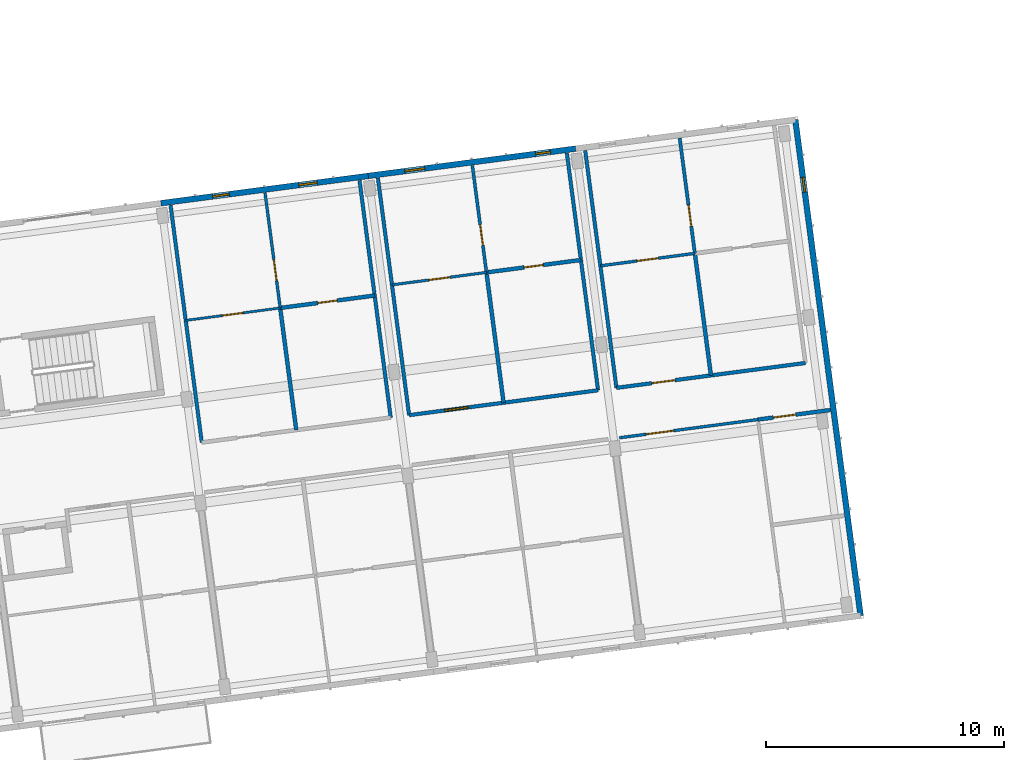
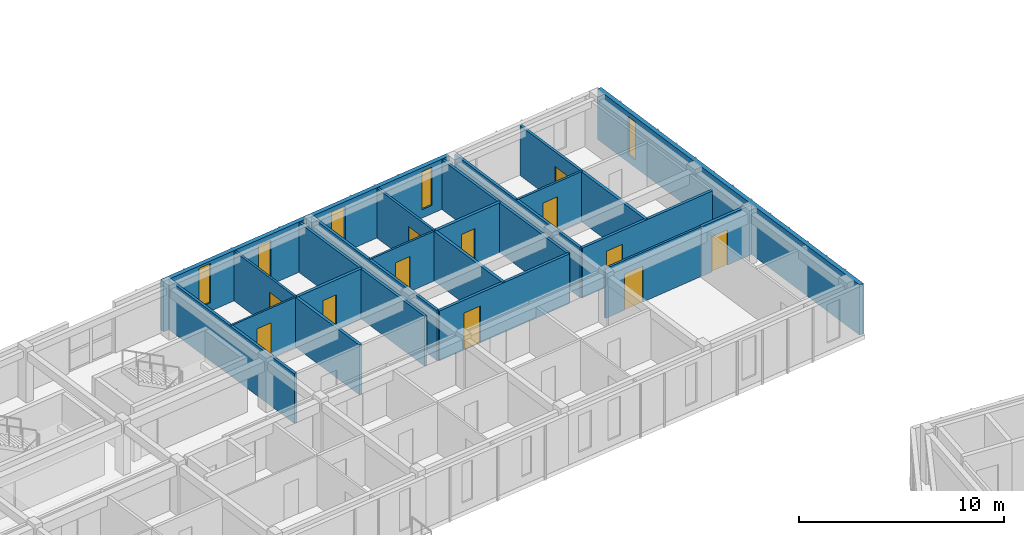
# One storey, part 23 of 56: 23 walls, 12 doors, 5 windows, 17 openings.
"""IFC4 building model written with IfcOpenShell, lengths in metres."""

from ifc_helpers import new_model, si_unit, direction, frame, frame_2d, origin, place, context, subcontext, project, spatial, rectangle, extrude, material, layer, layer_set, type_object, element, fill, save


model = new_model("IFC4")

# Units and contexts
model_context = context("Model", 3, precision=1e-05, world=origin(), true_north=direction((0.0, 1.0)))
body_context = subcontext(model_context, "Body", "Model", "MODEL_VIEW")
ifc_project = project(units=[si_unit("LENGTHUNIT", "METRE"), si_unit("AREAUNIT", "SQUARE_METRE"), si_unit("VOLUMEUNIT", "CUBIC_METRE"), si_unit("PLANEANGLEUNIT", "RADIAN"), si_unit("MASSUNIT", "GRAM", prefix="KILO")], contexts=[model_context])

# Site, building, storey
site_placement = place(None, origin())
site = spatial("IfcSite", under=ifc_project, at=site_placement, CompositionType="ELEMENT")
building_placement = place(site_placement, origin())
building = spatial("IfcBuilding", under=site, at=building_placement, Name="Kestramere Prow Commons", CompositionType="ELEMENT")
storey_placement = place(building_placement, frame((0.0, 0.0, 27.89990234375)))
storey = spatial("IfcBuildingStorey", under=building, at=storey_placement, Name="L08", CompositionType="ELEMENT", Elevation=27.89990234375)

# Wall, openings, windows
ifc_material_1 = material(Name="Fluoropolymer Standing-Seam Zinc-Aluminium Cladding", Category="aluminium")
ifc_layer_1 = layer(ifc_material_1, 0.239990234375)
ifc_layer_set_1 = layer_set([ifc_layer_1], Name="Fluoropolymer Standing-Seam Zinc-Aluminium Cladding")
wall_type_1 = type_object("IfcWallType", Name="EW-SEAM-240", PredefinedType="SOLIDWALL", material=ifc_layer_set_1)
wall_1_placement = place(storey_placement, frame((34.695068359375, 95.79541015625, 0.0), z_axis=(0.0, 0.0, 1.0), x_axis=(0.991447967712, 0.130502595073, 0.0)))
wall_1 = element("IfcWall", 1, at=wall_1_placement, inside=storey, type_object=wall_type_1, Name="Block A L08 North Standing-Seam Wall 4", PredefinedType="SOLIDWALL", context=body_context, shape_type="SweptSolid", body=[
    extrude(rectangle(XDim=8.800048828125, YDim=0.239990234375, at=frame_2d((4.39990234375, 0.0))), origin(), (0.0, 0.0, 1.0), 3.0),
])
opening_1_placement = place(wall_1_placement, frame((2.1943359375, 0.0, 0.5)))
opening_1 = element("IfcOpeningElement", 2, at=opening_1_placement, cuts=wall_1, Name="Opening WN-07", PredefinedType="OPENING", context=body_context, shape_type="SweptSolid", body=[
    extrude(rectangle(XDim=0.699951171875, YDim=2.360107421875, at=frame_2d((0.35009765625, 1.18017578125))), frame((0.0, 0.135009765625, 0.0), z_axis=(0.0, -1.0, 0.0), x_axis=(1.0, 0.0, 0.0)), (0.0, 0.0, 1.0), 0.27001953125),
])
opening_2_placement = place(wall_1_placement, frame((5.848876953125, 0.0, 0.43994140625)))
opening_2 = element("IfcOpeningElement", 3, at=opening_2_placement, cuts=wall_1, Name="Opening WN-11", PredefinedType="OPENING", context=body_context, shape_type="SweptSolid", body=[
    extrude(rectangle(XDim=0.780029296875, YDim=2.199951171875, at=frame_2d((0.39013671875, 1.10009765625))), frame((0.0, 0.135009765625, 0.0), z_axis=(0.0, -1.0, 0.0), x_axis=(1.0, 0.0, 0.0)), (0.0, 0.0, 1.0), 0.27001953125),
])
ifc_material_2 = material(Name="Low-E Laminated Double Glazing", Category="glass")
window_type_1 = type_object("IfcWindowType", Name="WN-NAR-700A", PartitioningType="SINGLE_PANEL", PredefinedType="WINDOW", material=ifc_material_2)
window_1_placement = place(opening_1_placement, origin())
window_1 = element("IfcWindow", 4, at=window_1_placement, inside=storey, type_object=window_type_1, Name="WN-A-L08-N-3-0", OverallHeight=2.360107421875, OverallWidth=0.699951171875, PartitioningType="SINGLE_PANEL", PredefinedType="WINDOW", context=body_context, shape_type="SweptSolid", body=[
    extrude(rectangle(XDim=0.699951171875, YDim=2.360107421875, at=frame_2d((0.35009765625, 1.18017578125))), frame((0.0, 0.030029296875, 0.0), z_axis=(0.0, -1.0, 0.0), x_axis=(1.0, 0.0, 0.0)), (0.0, 0.0, 1.0), 0.06005859375),
])
fill(opening_1, window_1)
window_type_2 = type_object("IfcWindowType", Name="WN-NAR-780A", PartitioningType="SINGLE_PANEL", PredefinedType="WINDOW", material=ifc_material_2)
window_2_placement = place(opening_2_placement, origin())
window_2 = element("IfcWindow", 5, at=window_2_placement, inside=storey, type_object=window_type_2, Name="WN-A-L08-N-3-1", OverallHeight=2.199951171875, OverallWidth=0.780029296875, PartitioningType="SINGLE_PANEL", PredefinedType="WINDOW", context=body_context, shape_type="SweptSolid", body=[
    extrude(rectangle(XDim=0.780029296875, YDim=2.199951171875, at=frame_2d((0.39013671875, 1.10009765625))), frame((0.0, 0.030029296875, 0.0), z_axis=(0.0, -1.0, 0.0), x_axis=(1.0, 0.0, 0.0)), (0.0, 0.0, 1.0), 0.06005859375),
])
fill(opening_2, window_2)

wall_2_placement = place(storey_placement, frame((43.419921875, 96.94384765625, 0.0), z_axis=(0.0, 0.0, 1.0), x_axis=(0.991443905089, 0.130533455715, 0.0)))
wall_2 = element("IfcWall", 6, at=wall_2_placement, inside=storey, type_object=wall_type_1, Name="Block A L08 North Standing-Seam Wall 5", PredefinedType="SOLIDWALL", context=body_context, shape_type="SweptSolid", body=[
    extrude(rectangle(XDim=8.7998046875, YDim=0.239990234375, at=frame_2d((4.39990234375, 0.0))), origin(), (0.0, 0.0, 1.0), 3.0),
])
opening_3_placement = place(wall_2_placement, frame((1.552001953125, 0.0, 0.43994140625)))
opening_3 = element("IfcOpeningElement", 7, at=opening_3_placement, cuts=wall_2, Name="Opening WN-14", PredefinedType="OPENING", context=body_context, shape_type="SweptSolid", body=[
    extrude(rectangle(XDim=0.840087890625, YDim=2.280029296875, at=frame_2d((0.419921875, 1.14013671875))), frame((0.0, 0.135009765625, 0.0), z_axis=(0.0, -1.0, 0.0), x_axis=(1.0, 0.0, 0.0)), (0.0, 0.0, 1.0), 0.27001953125),
])
opening_4_placement = place(wall_2_placement, frame((7.11279296875, 0.0, 0.5)))
opening_4 = element("IfcOpeningElement", 8, at=opening_4_placement, cuts=wall_2, Name="Opening WN-03", PredefinedType="OPENING", context=body_context, shape_type="SweptSolid", body=[
    extrude(rectangle(XDim=0.6201171875, YDim=2.280029296875, at=frame_2d((0.31005859375, 1.14013671875))), frame((0.0, 0.135009765625, 0.0), z_axis=(0.0, -1.0, 0.0), x_axis=(1.0, 0.0, 0.0)), (0.0, 0.0, 1.0), 0.27001953125),
])
window_type_3 = type_object("IfcWindowType", Name="WN-NAR-620A", PartitioningType="SINGLE_PANEL", PredefinedType="WINDOW", material=ifc_material_2)
window_3_placement = place(opening_4_placement, origin())
window_3 = element("IfcWindow", 9, at=window_3_placement, inside=storey, type_object=window_type_3, Name="WN-A-L08-N-4-1", OverallHeight=2.280029296875, OverallWidth=0.6201171875, PartitioningType="SINGLE_PANEL", PredefinedType="WINDOW", context=body_context, shape_type="SweptSolid", body=[
    extrude(rectangle(XDim=0.6201171875, YDim=2.280029296875, at=frame_2d((0.31005859375, 1.14013671875))), frame((0.0, 0.030029296875, 0.0), z_axis=(0.0, -1.0, 0.0), x_axis=(1.0, 0.0, 0.0)), (0.0, 0.0, 1.0), 0.06005859375),
])
fill(opening_4, window_3)
window_type_4 = type_object("IfcWindowType", Name="WN-NAR-840A", PartitioningType="DOUBLE_PANEL_VERTICAL", PredefinedType="WINDOW", material=ifc_material_2)
window_4_placement = place(opening_3_placement, origin())
window_4 = element("IfcWindow", 10, at=window_4_placement, inside=storey, type_object=window_type_4, Name="WN-A-L08-N-4-0", OverallHeight=2.280029296875, OverallWidth=0.840087890625, PartitioningType="SINGLE_PANEL", PredefinedType="WINDOW", context=body_context, shape_type="SweptSolid", body=[
    extrude(rectangle(XDim=0.840087890625, YDim=2.280029296875, at=frame_2d((0.419921875, 1.14013671875))), frame((0.0, 0.030029296875, 0.0), z_axis=(0.0, -1.0, 0.0), x_axis=(1.0, 0.0, 0.0)), (0.0, 0.0, 1.0), 0.06005859375),
])
fill(opening_3, window_4)

# Wall, opening, window
wall_3_placement = place(storey_placement, frame((61.3896484375, 99.309814453125, 0.0), z_axis=(0.0, 0.0, 1.0), x_axis=(0.13052411616, -0.99144513469, 0.0)))
wall_3 = element("IfcWall", 11, at=wall_3_placement, inside=storey, type_object=wall_type_1, Name="Block A L08 EAV Facet Wall", PredefinedType="SOLIDWALL", context=body_context, shape_type="SweptSolid", body=[
    extrude(rectangle(XDim=21.05029296875, YDim=0.239990234375, at=frame_2d((10.525146484375, 0.0))), origin(), (0.0, 0.0, 1.0), 3.0),
])
opening_5_placement = place(wall_3_placement, frame((2.449951171875, 0.0, 0.449951171875)))
opening_5 = element("IfcOpeningElement", 12, at=opening_5_placement, cuts=wall_3, Name="Opening WN-03", PredefinedType="OPENING", context=body_context, shape_type="SweptSolid", body=[
    extrude(rectangle(XDim=0.6201171875, YDim=2.280029296875, at=frame_2d((0.31005859375, 1.14013671875))), frame((0.0, 0.135009765625, 0.0), z_axis=(0.0, -1.0, 0.0), x_axis=(1.0, 0.0, 0.0)), (0.0, 0.0, 1.0), 0.27001953125),
])
window_5_placement = place(opening_5_placement, origin())
window_5 = element("IfcWindow", 13, at=window_5_placement, inside=storey, type_object=window_type_3, Name="WN-A-L08-EAV-0", OverallHeight=2.280029296875, OverallWidth=0.6201171875, PartitioningType="SINGLE_PANEL", PredefinedType="WINDOW", context=body_context, shape_type="SweptSolid", body=[
    extrude(rectangle(XDim=0.6201171875, YDim=2.280029296875, at=frame_2d((0.31005859375, 1.14013671875))), frame((0.0, 0.030029296875, 0.0), z_axis=(0.0, -1.0, 0.0), x_axis=(1.0, 0.0, 0.0)), (0.0, 0.0, 1.0), 0.06005859375),
])
fill(opening_5, window_5)

# Wall, opening, door
ifc_material_3 = material(Name="Fire-Rated Calcium Silicate Wall")
ifc_layer_2 = layer(ifc_material_3, 0.155029296875)
ifc_layer_set_2 = layer_set([ifc_layer_2], Name="Fire-Rated Calcium Silicate Wall")
wall_type_2 = type_object("IfcWallType", Name="W-FIRE-150", PredefinedType="PARTITIONING", material=ifc_layer_set_2)
wall_4_placement = place(storey_placement, frame((45.138427734375, 86.877197265625, 0.0), z_axis=(0.0, 0.0, 1.0), x_axis=(0.991444034844, 0.130532470184, 0.0)))
wall_4 = element("IfcWall", 14, at=wall_4_placement, inside=storey, type_object=wall_type_2, Name="Interior Partition PW-A-L08-CN-4", PredefinedType="PARTITIONING", context=body_context, shape_type="SweptSolid", body=[
    extrude(rectangle(XDim=8.02001953125, YDim=0.155029296875, at=frame_2d((4.010009765625, 0.0))), origin(), (0.0, 0.0, 1.0), 2.97021484375),
])
opening_6_placement = place(wall_4_placement, frame((1.5048828125, 0.0, 0.0)))
opening_6 = element("IfcOpeningElement", 15, at=opening_6_placement, cuts=wall_4, Name="Opening ID-05", PredefinedType="OPENING", context=body_context, shape_type="SweptSolid", body=[
    extrude(rectangle(XDim=1.02001953125, YDim=2.199951171875, at=frame_2d((0.510009765625, 1.10009765625))), frame((0.0, 0.092529296875, 0.0), z_axis=(0.0, -1.0, 0.0), x_axis=(1.0, 0.0, 0.0)), (0.0, 0.0, 1.0), 0.18505859375),
])
ifc_material_4 = material(Name="Hardwood Fire-Rated Flat Entrance Door", Category="wood")
door_type_1 = type_object("IfcDoorType", Name="FD-ENT-02", OperationType="NOTDEFINED", PredefinedType="DOOR", material=ifc_material_4)
door_1_placement = place(opening_6_placement, origin())
door_1 = element("IfcDoor", 16, at=door_1_placement, inside=storey, type_object=door_type_1, Name="Interior Door DR-A-L08-ENT-N4", OperationType="SINGLE_SWING_LEFT", OverallHeight=2.199951171875, OverallWidth=1.02001953125, PredefinedType="DOOR", context=body_context, shape_type="SweptSolid", body=[
    extrude(rectangle(XDim=1.02001953125, YDim=2.199951171875, at=frame_2d((0.510009765625, 1.10009765625))), frame((0.0, 0.02490234375, 0.0), z_axis=(0.0, -1.0, 0.0), x_axis=(1.0, 0.0, 0.0)), (0.0, 0.0, 1.0), 0.050048828125),
])
fill(opening_6, door_1)

wall_5_placement = place(storey_placement, frame((53.86328125, 88.02587890625, 0.0), z_axis=(0.0, 0.0, 1.0), x_axis=(0.991447973994, 0.130502547346, 0.0)))
wall_5 = element("IfcWall", 17, at=wall_5_placement, inside=storey, type_object=wall_type_2, Name="Interior Partition PW-A-L08-CN-5", PredefinedType="PARTITIONING", context=body_context, shape_type="SweptSolid", body=[
    extrude(rectangle(XDim=8.02001953125, YDim=0.155029296875, at=frame_2d((4.010009765625, 0.0))), origin(), (0.0, 0.0, 1.0), 2.97021484375),
])
opening_7_placement = place(wall_5_placement, frame((1.5048828125, 0.0, 0.0)))
opening_7 = element("IfcOpeningElement", 18, at=opening_7_placement, cuts=wall_5, Name="Opening ID-04", PredefinedType="OPENING", context=body_context, shape_type="SweptSolid", body=[
    extrude(rectangle(XDim=0.97998046875, YDim=2.14990234375, at=frame_2d((0.489990234375, 1.074951171875))), frame((0.0, 0.092529296875, 0.0), z_axis=(0.0, -1.0, 0.0), x_axis=(1.0, 0.0, 0.0)), (0.0, 0.0, 1.0), 0.18505859375),
])
door_type_2 = type_object("IfcDoorType", Name="FD-ENT-01", OperationType="NOTDEFINED", PredefinedType="DOOR", material=ifc_material_4)
door_2_placement = place(opening_7_placement, origin())
door_2 = element("IfcDoor", 19, at=door_2_placement, inside=storey, type_object=door_type_2, Name="Interior Door DR-A-L08-ENT-N5", OperationType="SINGLE_SWING_RIGHT", OverallHeight=2.14990234375, OverallWidth=0.97998046875, PredefinedType="DOOR", context=body_context, shape_type="SweptSolid", body=[
    extrude(rectangle(XDim=0.97998046875, YDim=2.14990234375, at=frame_2d((0.489990234375, 1.074951171875))), frame((0.0, 0.02490234375, 0.0), z_axis=(0.0, -1.0, 0.0), x_axis=(1.0, 0.0, 0.0)), (0.0, 0.0, 1.0), 0.050048828125),
])
fill(opening_7, door_2)

ifc_material_5 = material(Name="Gypsum Acoustic Drywall")
ifc_layer_3 = layer(ifc_material_5, 0.10009765625)
ifc_layer_set_3 = layer_set([ifc_layer_3], Name="Gypsum Acoustic Drywall")
wall_type_3 = type_object("IfcWallType", Name="W-PART-100", PredefinedType="PARTITIONING", material=ifc_layer_set_3)
wall_6_placement = place(storey_placement, frame((35.737548828125, 90.8642578125, 0.0), z_axis=(0.0, 0.0, 1.0), x_axis=(0.991444553502, 0.130528530716, 0.0)))
wall_6 = element("IfcWall", 20, at=wall_6_placement, inside=storey, type_object=wall_type_3, Name="Interior Partition PW-A-L08-MIDN1-3", PredefinedType="PARTITIONING", context=body_context, shape_type="SweptSolid", body=[
    extrude(rectangle(XDim=4.01025390625, YDim=0.10009765625, at=frame_2d((2.005126953125, 0.0))), origin(), (0.0, 0.0, 1.0), 2.97021484375),
])
opening_8_placement = place(wall_6_placement, frame((1.554931640625, 0.0, 0.0)))
opening_8 = element("IfcOpeningElement", 21, at=opening_8_placement, cuts=wall_6, Name="Opening ID-10", PredefinedType="OPENING", context=body_context, shape_type="SweptSolid", body=[
    extrude(rectangle(XDim=0.8798828125, YDim=2.10009765625, at=frame_2d((0.43994140625, 1.050048828125))), frame((0.0, 0.06494140625, 0.0), z_axis=(0.0, -1.0, 0.0), x_axis=(1.0, 0.0, 0.0)), (0.0, 0.0, 1.0), 0.130126953125),
])
ifc_material_6 = material(Name="Engineered Timber Bedroom Door", Category="wood")
door_type_3 = type_object("IfcDoorType", Name="D-RM-03", OperationType="NOTDEFINED", PredefinedType="DOOR", material=ifc_material_6)
door_3_placement = place(opening_8_placement, origin())
door_3 = element("IfcDoor", 22, at=door_3_placement, inside=storey, type_object=door_type_3, Name="Interior Door DR-A-L08-KL-N3", OperationType="SINGLE_SWING_LEFT", OverallHeight=2.10009765625, OverallWidth=0.8798828125, PredefinedType="DOOR", context=body_context, shape_type="SweptSolid", body=[
    extrude(rectangle(XDim=0.8798828125, YDim=2.10009765625, at=frame_2d((0.43994140625, 1.050048828125))), frame((0.0, 0.02490234375, 0.0), z_axis=(0.0, -1.0, 0.0), x_axis=(1.0, 0.0, 0.0)), (0.0, 0.0, 1.0), 0.050048828125),
])
fill(opening_8, door_3)

ifc_layer_4 = layer(ifc_material_5, 0.110107421875)
ifc_layer_set_4 = layer_set([ifc_layer_4], Name="Gypsum Acoustic Drywall")
wall_type_4 = type_object("IfcWallType", Name="W-PART-110", PredefinedType="PARTITIONING", material=ifc_layer_set_4)
wall_7_placement = place(storey_placement, frame((44.416748046875, 92.35986328125, 0.0), z_axis=(0.0, 0.0, 1.0), x_axis=(0.991443516139, 0.130536409887, 0.0)))
wall_7 = element("IfcWall", 23, at=wall_7_placement, inside=storey, type_object=wall_type_4, Name="Interior Partition PW-A-L08-MIDN1-4", PredefinedType="PARTITIONING", context=body_context, shape_type="SweptSolid", body=[
    extrude(rectangle(XDim=4.010009765625, YDim=0.110107421875, at=frame_2d((2.0048828125, 0.0))), origin(), (0.0, 0.0, 1.0), 2.97021484375),
])
opening_9_placement = place(wall_7_placement, frame((1.554931640625, 0.0, 0.0)))
opening_9 = element("IfcOpeningElement", 24, at=opening_9_placement, cuts=wall_7, Name="Opening ID-08", PredefinedType="OPENING", context=body_context, shape_type="SweptSolid", body=[
    extrude(rectangle(XDim=0.89990234375, YDim=2.10009765625, at=frame_2d((0.449951171875, 1.050048828125))), frame((0.0, 0.070068359375, 0.0), z_axis=(0.0, -1.0, 0.0), x_axis=(1.0, 0.0, 0.0)), (0.0, 0.0, 1.0), 0.14013671875),
])
ifc_material_7 = material(Name="Engineered Timber Flush Door", Category="wood")
door_type_4 = type_object("IfcDoorType", Name="D-RM-01", OperationType="NOTDEFINED", PredefinedType="DOOR", material=ifc_material_7)
door_4_placement = place(opening_9_placement, origin())
door_4 = element("IfcDoor", 25, at=door_4_placement, inside=storey, type_object=door_type_4, Name="Interior Door DR-A-L08-KL-N4", OperationType="SINGLE_SWING_LEFT", OverallHeight=2.10009765625, OverallWidth=0.89990234375, PredefinedType="DOOR", context=body_context, shape_type="SweptSolid", body=[
    extrude(rectangle(XDim=0.89990234375, YDim=2.10009765625, at=frame_2d((0.449951171875, 1.050048828125))), frame((0.0, 0.02490234375, 0.0), z_axis=(0.0, -1.0, 0.0), x_axis=(1.0, 0.0, 0.0)), (0.0, 0.0, 1.0), 0.050048828125),
])
fill(opening_9, door_4)

ifc_material_8 = material(Name="Lightweight Blockwork and Plaster", Category="masonry")
ifc_layer_5 = layer(ifc_material_8, 0.1201171875)
ifc_layer_set_5 = layer_set([ifc_layer_5], Name="Lightweight Blockwork and Plaster")
wall_type_5 = type_object("IfcWallType", Name="W-PART-120", PredefinedType="PARTITIONING", material=ifc_layer_set_5)
wall_8_placement = place(storey_placement, frame((53.983642578125, 85.923583984375, 0.0), z_axis=(0.0, 0.0, 1.0), x_axis=(0.991446810256, 0.130511388136, 0.0)))
wall_8 = element("IfcWall", 26, at=wall_8_placement, inside=storey, type_object=wall_type_5, Name="Interior Partition PW-A-L08-CS-5A", PredefinedType="PARTITIONING", context=body_context, shape_type="SweptSolid", body=[
    extrude(rectangle(XDim=5.885009765625, YDim=0.1201171875, at=frame_2d((2.9423828125, 0.0))), origin(), (0.0, 0.0, 1.0), 2.97021484375),
])
opening_10_placement = place(wall_8_placement, frame((1.14990234375, 0.0, 0.0)))
opening_10 = element("IfcOpeningElement", 27, at=opening_10_placement, cuts=wall_8, Name="Opening ID-09", PredefinedType="OPENING", context=body_context, shape_type="SweptSolid", body=[
    extrude(rectangle(XDim=1.14990234375, YDim=2.14990234375, at=frame_2d((0.574951171875, 1.074951171875))), frame((0.0, 0.074951171875, 0.0), z_axis=(0.0, -1.0, 0.0), x_axis=(1.0, 0.0, 0.0)), (0.0, 0.0, 1.0), 0.150146484375),
])
ifc_material_9 = material(Name="Engineered Timber Acoustic Door", Category="wood")
door_type_5 = type_object("IfcDoorType", Name="D-RM-02", OperationType="NOTDEFINED", PredefinedType="DOOR", material=ifc_material_9)
door_5_placement = place(opening_10_placement, origin())
door_5 = element("IfcDoor", 28, at=door_5_placement, inside=storey, type_object=door_type_5, Name="Interior Door DR-A-L08-SKY-5", OperationType="SINGLE_SWING_LEFT", OverallHeight=2.14990234375, OverallWidth=1.14990234375, PredefinedType="DOOR", context=body_context, shape_type="SweptSolid", body=[
    extrude(rectangle(XDim=1.14990234375, YDim=2.14990234375, at=frame_2d((0.574951171875, 1.074951171875))), frame((0.0, 0.02490234375, 0.0), z_axis=(0.0, -1.0, 0.0), x_axis=(1.0, 0.0, 0.0)), (0.0, 0.0, 1.0), 0.050048828125),
])
fill(opening_10, door_5)

wall_9_placement = place(storey_placement, frame((39.71337890625, 91.3876953125, 0.0), z_axis=(0.0, 0.0, 1.0), x_axis=(-0.130557831536, 0.991440695465, 0.0)))
wall_9 = element("IfcWall", 29, at=wall_9_placement, inside=storey, type_object=wall_type_5, Name="Interior Partition PW-A-L08-LB-N3", PredefinedType="PARTITIONING", context=body_context, shape_type="SweptSolid", body=[
    extrude(rectangle(XDim=4.889892578125, YDim=0.1201171875, at=frame_2d((2.44482421875, 0.0))), origin(), (0.0, 0.0, 1.0), 2.97021484375),
])
opening_11_placement = place(wall_9_placement, frame((1.14990234375, 0.0, 0.0)))
opening_11 = element("IfcOpeningElement", 30, at=opening_11_placement, cuts=wall_9, Name="Opening ID-08", PredefinedType="OPENING", context=body_context, shape_type="SweptSolid", body=[
    extrude(rectangle(XDim=0.89990234375, YDim=2.10009765625, at=frame_2d((0.449951171875, 1.050048828125))), frame((0.0, 0.074951171875, 0.0), z_axis=(0.0, -1.0, 0.0), x_axis=(1.0, 0.0, 0.0)), (0.0, 0.0, 1.0), 0.150146484375),
])
door_6_placement = place(opening_11_placement, origin())
door_6 = element("IfcDoor", 31, at=door_6_placement, inside=storey, type_object=door_type_4, Name="Interior Door DR-A-L08-BED-N3", OperationType="SINGLE_SWING_LEFT", OverallHeight=2.10009765625, OverallWidth=0.89990234375, PredefinedType="DOOR", context=body_context, shape_type="SweptSolid", body=[
    extrude(rectangle(XDim=0.89990234375, YDim=2.10009765625, at=frame_2d((0.449951171875, 1.050048828125))), frame((0.0, 0.02490234375, 0.0), z_axis=(0.0, -1.0, 0.0), x_axis=(1.0, 0.0, 0.0)), (0.0, 0.0, 1.0), 0.050048828125),
])
fill(opening_11, door_6)

wall_10_placement = place(storey_placement, frame((53.18701171875, 93.161376953125, 0.0), z_axis=(0.0, 0.0, 1.0), x_axis=(0.991444553502, 0.130528530716, 0.0)))
wall_10 = element("IfcWall", 32, at=wall_10_placement, inside=storey, type_object=wall_type_5, Name="Interior Partition PW-A-L08-MIDN1-5", PredefinedType="PARTITIONING", context=body_context, shape_type="SweptSolid", body=[
    extrude(rectangle(XDim=4.01025390625, YDim=0.1201171875, at=frame_2d((2.005126953125, 0.0))), origin(), (0.0, 0.0, 1.0), 2.97021484375),
])
opening_12_placement = place(wall_10_placement, frame((1.554931640625, 0.0, 0.0)))
opening_12 = element("IfcOpeningElement", 33, at=opening_12_placement, cuts=wall_10, Name="Opening ID-08", PredefinedType="OPENING", context=body_context, shape_type="SweptSolid", body=[
    extrude(rectangle(XDim=0.89990234375, YDim=2.10009765625, at=frame_2d((0.449951171875, 1.050048828125))), frame((0.0, 0.074951171875, 0.0), z_axis=(0.0, -1.0, 0.0), x_axis=(1.0, 0.0, 0.0)), (0.0, 0.0, 1.0), 0.150146484375),
])
door_7_placement = place(opening_12_placement, origin())
door_7 = element("IfcDoor", 34, at=door_7_placement, inside=storey, type_object=door_type_4, Name="Interior Door DR-A-L08-KL-N5", OperationType="SINGLE_SWING_LEFT", OverallHeight=2.10009765625, OverallWidth=0.89990234375, PredefinedType="DOOR", context=body_context, shape_type="SweptSolid", body=[
    extrude(rectangle(XDim=0.89990234375, YDim=2.10009765625, at=frame_2d((0.449951171875, 1.050048828125))), frame((0.0, 0.02490234375, 0.0), z_axis=(0.0, -1.0, 0.0), x_axis=(1.0, 0.0, 0.0)), (0.0, 0.0, 1.0), 0.050048828125),
])
fill(opening_12, door_7)

ifc_layer_6 = layer(ifc_material_8, 0.1298828125)
ifc_layer_set_6 = layer_set([ifc_layer_6], Name="Lightweight Blockwork and Plaster")
wall_type_6 = type_object("IfcWallType", Name="W-PART-130", PredefinedType="PARTITIONING", material=ifc_layer_set_6)
wall_11_placement = place(storey_placement, frame((48.392333984375, 92.88330078125, 0.0), z_axis=(0.0, 0.0, 1.0), x_axis=(-0.130518503748, 0.99144587355, 0.0)))
wall_11 = element("IfcWall", 35, at=wall_11_placement, inside=storey, type_object=wall_type_6, Name="Interior Partition PW-A-L08-LB-N4", PredefinedType="PARTITIONING", context=body_context, shape_type="SweptSolid", body=[
    extrude(rectangle(XDim=4.539794921875, YDim=0.1298828125, at=frame_2d((2.27001953125, 0.0))), origin(), (0.0, 0.0, 1.0), 2.97021484375),
])
opening_13_placement = place(wall_11_placement, frame((1.14990234375, 0.0, 0.0)))
opening_13 = element("IfcOpeningElement", 36, at=opening_13_placement, cuts=wall_11, Name="Opening ID-10", PredefinedType="OPENING", context=body_context, shape_type="SweptSolid", body=[
    extrude(rectangle(XDim=0.8798828125, YDim=2.10009765625, at=frame_2d((0.43994140625, 1.050048828125))), frame((0.0, 0.079833984375, 0.0), z_axis=(0.0, -1.0, 0.0), x_axis=(1.0, 0.0, 0.0)), (0.0, 0.0, 1.0), 0.159912109375),
])
door_8_placement = place(opening_13_placement, origin())
door_8 = element("IfcDoor", 37, at=door_8_placement, inside=storey, type_object=door_type_3, Name="Interior Door DR-A-L08-BED-N4", OperationType="SINGLE_SWING_LEFT", OverallHeight=2.10009765625, OverallWidth=0.8798828125, PredefinedType="DOOR", context=body_context, shape_type="SweptSolid", body=[
    extrude(rectangle(XDim=0.8798828125, YDim=2.10009765625, at=frame_2d((0.43994140625, 1.050048828125))), frame((0.0, 0.02490234375, 0.0), z_axis=(0.0, -1.0, 0.0), x_axis=(1.0, 0.0, 0.0)), (0.0, 0.0, 1.0), 0.050048828125),
])
fill(opening_13, door_8)

ifc_material_10 = material(Name="Masonry Compartment Wall", Category="masonry")
ifc_layer_7 = layer(ifc_material_10, 0.139892578125)
ifc_layer_set_7 = layer_set([ifc_layer_7], Name="Masonry Compartment Wall")
wall_type_7 = type_object("IfcWallType", Name="W-PART-140", PredefinedType="PARTITIONING", material=ifc_layer_set_7)
wall_12_placement = place(storey_placement, frame((57.162841796875, 93.684814453125, 0.0), z_axis=(0.0, 0.0, 1.0), x_axis=(-0.130557831536, 0.991440695465, 0.0)))
wall_12 = element("IfcWall", 38, at=wall_12_placement, inside=storey, type_object=wall_type_7, Name="Interior Partition PW-A-L08-LB-N5", PredefinedType="PARTITIONING", context=body_context, shape_type="SweptSolid", body=[
    extrude(rectangle(XDim=4.889892578125, YDim=0.139892578125, at=frame_2d((2.44482421875, 0.0))), origin(), (0.0, 0.0, 1.0), 2.97021484375),
])
opening_14_placement = place(wall_12_placement, frame((1.14990234375, 0.0, 0.0)))
opening_14 = element("IfcOpeningElement", 39, at=opening_14_placement, cuts=wall_12, Name="Opening ID-08", PredefinedType="OPENING", context=body_context, shape_type="SweptSolid", body=[
    extrude(rectangle(XDim=0.89990234375, YDim=2.10009765625, at=frame_2d((0.449951171875, 1.050048828125))), frame((0.0, 0.0849609375, 0.0), z_axis=(0.0, -1.0, 0.0), x_axis=(1.0, 0.0, 0.0)), (0.0, 0.0, 1.0), 0.169921875),
])
door_9_placement = place(opening_14_placement, origin())
door_9 = element("IfcDoor", 40, at=door_9_placement, inside=storey, type_object=door_type_4, Name="Interior Door DR-A-L08-BED-N5", OperationType="SINGLE_SWING_LEFT", OverallHeight=2.10009765625, OverallWidth=0.89990234375, PredefinedType="DOOR", context=body_context, shape_type="SweptSolid", body=[
    extrude(rectangle(XDim=0.89990234375, YDim=2.10009765625, at=frame_2d((0.449951171875, 1.050048828125))), frame((0.0, 0.02490234375, 0.0), z_axis=(0.0, -1.0, 0.0), x_axis=(1.0, 0.0, 0.0)), (0.0, 0.0, 1.0), 0.050048828125),
])
fill(opening_14, door_9)

# Walls
ifc_layer_8 = layer(ifc_material_10, 0.14990234375)
ifc_layer_set_8 = layer_set([ifc_layer_8], Name="Masonry Compartment Wall")
wall_type_8 = type_object("IfcWallType", Name="W-PART-150", PredefinedType="PARTITIONING", material=ifc_layer_set_8)
for number, where, z_axis, x_axis, name in (
    (41, (36.413818359375, 85.728515625, 0.0), (0.0, 0.0, 1.0), (-0.130531024319, 0.991444225204, 0.0), "Interior Partition PW-A-L08-NWL-3"),
    (42, (44.365234375, 86.775390625, 0.0), (0.0, 0.0, 1.0), (-0.130531024319, 0.991444225204, 0.0), "Interior Partition PW-A-L08-NWR-3"),
    (43, (45.138427734375, 86.877197265625, 0.0), (0.0, 0.0, 1.0), (-0.130531024319, 0.991444225204, 0.0), "Interior Partition PW-A-L08-NWL-4"),
):
    element("IfcWall", number, at=place(storey_placement, frame(where, z_axis=z_axis, x_axis=x_axis)), inside=storey, type_object=wall_type_8, Name=name, PredefinedType="PARTITIONING", context=body_context, shape_type="SweptSolid", body=[
        extrude(rectangle(XDim=10.070068359375, YDim=0.14990234375, at=frame_2d((5.03515625, 0.0))), origin(), (0.0, 0.0, 1.0), 2.97021484375),
    ])
for number, where, z_axis, x_axis, name in (
    (44, (53.08984375, 87.924072265625, 0.0), (0.0, 0.0, 1.0), (-0.130534161944, 0.991443812107, 0.0), "Interior Partition PW-A-L08-NWR-4"),
    (45, (53.86328125, 88.02587890625, 0.0), (0.0, 0.0, 1.0), (-0.130534161944, 0.991443812107, 0.0), "Interior Partition PW-A-L08-NWL-5"),
):
    element("IfcWall", number, at=place(storey_placement, frame(where, z_axis=z_axis, x_axis=x_axis)), inside=storey, type_object=wall_type_8, Name=name, PredefinedType="PARTITIONING", context=body_context, shape_type="SweptSolid", body=[
        extrude(rectangle(XDim=10.06982421875, YDim=0.14990234375, at=frame_2d((5.034912109375, 0.0))), origin(), (0.0, 0.0, 1.0), 2.97021484375),
    ])

# Wall, opening, door
ifc_material_11 = material(Name="Waterproof Sanitary Masonry Wall", Category="masonry")
ifc_layer_9 = layer(ifc_material_11, 0.1650390625)
ifc_layer_set_9 = layer_set([ifc_layer_9], Name="Waterproof Sanitary Masonry Wall")
wall_type_9 = type_object("IfcWallType", Name="W-PLUMB-150", PredefinedType="PLUMBINGWALL", material=ifc_layer_set_9)
wall_13_placement = place(storey_placement, frame((59.818359375, 86.691650390625, 0.0), z_axis=(0.0, 0.0, 1.0), x_axis=(0.991444293548, 0.130530505213, 0.0)))
wall_13 = element("IfcWall", 46, at=wall_13_placement, inside=storey, type_object=wall_type_9, Name="Interior Partition PW-A-L08-CS-5B", PredefinedType="PLUMBINGWALL", context=body_context, shape_type="SweptSolid", body=[
    extrude(rectangle(XDim=3.074951171875, YDim=0.1650390625, at=frame_2d((1.53759765625, 0.0))), origin(), (0.0, 0.0, 1.0), 2.97021484375),
])
opening_15_placement = place(wall_13_placement, frame((0.64990234375, 0.0, 0.0)))
opening_15 = element("IfcOpeningElement", 47, at=opening_15_placement, cuts=wall_13, Name="Opening ID-13", PredefinedType="OPENING", context=body_context, shape_type="SweptSolid", body=[
    extrude(rectangle(XDim=0.9599609375, YDim=2.1201171875, at=frame_2d((0.47998046875, 1.06005859375))), frame((0.0, 0.097412109375, 0.0), z_axis=(0.0, -1.0, 0.0), x_axis=(1.0, 0.0, 0.0)), (0.0, 0.0, 1.0), 0.195068359375),
])
ifc_material_12 = material(Name="Accessible Wide-Leaf Timber Door", Category="wood")
door_type_6 = type_object("IfcDoorType", Name="D-ACC-01", OperationType="NOTDEFINED", PredefinedType="DOOR", material=ifc_material_12)
door_10_placement = place(opening_15_placement, origin())
door_10 = element("IfcDoor", 48, at=door_10_placement, inside=storey, type_object=door_type_6, Name="Interior Door DR-A-L08-SKWC-5", OperationType="SINGLE_SWING_RIGHT", OverallHeight=2.1201171875, OverallWidth=0.9599609375, PredefinedType="DOOR", context=body_context, shape_type="SweptSolid", body=[
    extrude(rectangle(XDim=0.9599609375, YDim=2.1201171875, at=frame_2d((0.47998046875, 1.06005859375))), frame((0.0, 0.02490234375, 0.0), z_axis=(0.0, -1.0, 0.0), x_axis=(1.0, 0.0, 0.0)), (0.0, 0.0, 1.0), 0.050048828125),
])
fill(opening_15, door_10)

wall_14_placement = place(storey_placement, frame((39.71337890625, 91.3876953125, 0.0), z_axis=(0.0, 0.0, 1.0), x_axis=(0.991443516139, 0.130536409887, 0.0)))
wall_14 = element("IfcWall", 49, at=wall_14_placement, inside=storey, type_object=wall_type_9, Name="Interior Partition PW-A-L08-MIDN2-3", PredefinedType="PLUMBINGWALL", context=body_context, shape_type="SweptSolid", body=[
    extrude(rectangle(XDim=4.010009765625, YDim=0.1650390625, at=frame_2d((2.0048828125, 0.0))), origin(), (0.0, 0.0, 1.0), 2.97021484375),
])
opening_16_placement = place(wall_14_placement, frame((1.594970703125, 0.0, 0.0)))
opening_16 = element("IfcOpeningElement", 50, at=opening_16_placement, cuts=wall_14, Name="Opening ID-11", PredefinedType="OPENING", context=body_context, shape_type="SweptSolid", body=[
    extrude(rectangle(XDim=0.820068359375, YDim=2.080078125, at=frame_2d((0.41015625, 1.0400390625))), frame((0.0, 0.097412109375, 0.0), z_axis=(0.0, -1.0, 0.0), x_axis=(1.0, 0.0, 0.0)), (0.0, 0.0, 1.0), 0.195068359375),
])
ifc_material_13 = material(Name="Moisture-Resistant Timber Bathroom Door", Category="wood")
door_type_7 = type_object("IfcDoorType", Name="D-BT-01", OperationType="NOTDEFINED", PredefinedType="DOOR", material=ifc_material_13)
door_11_placement = place(opening_16_placement, origin())
door_11 = element("IfcDoor", 51, at=door_11_placement, inside=storey, type_object=door_type_7, Name="Interior Door DR-A-L08-BTH-N3", OperationType="SINGLE_SWING_RIGHT", OverallHeight=2.080078125, OverallWidth=0.820068359375, PredefinedType="DOOR", context=body_context, shape_type="SweptSolid", body=[
    extrude(rectangle(XDim=0.820068359375, YDim=2.080078125, at=frame_2d((0.41015625, 1.0400390625))), frame((0.0, 0.02490234375, 0.0), z_axis=(0.0, -1.0, 0.0), x_axis=(1.0, 0.0, 0.0)), (0.0, 0.0, 1.0), 0.050048828125),
])
fill(opening_16, door_11)

# Wall
wall_15_placement = place(storey_placement, frame((40.389404296875, 86.251953125, 0.0), z_axis=(0.0, 0.0, 1.0), x_axis=(-0.130505718023, 0.991447556638, 0.0)))
element("IfcWall", 52, at=wall_15_placement, inside=storey, type_object=wall_type_9, Name="Interior Partition PW-A-L08-KB-N3", PredefinedType="PLUMBINGWALL", context=body_context, shape_type="SweptSolid", body=[
    extrude(rectangle(XDim=5.179931640625, YDim=0.1650390625, at=frame_2d((2.58984375, 0.0))), origin(), (0.0, 0.0, 1.0), 2.97021484375),
])

# Wall, opening, door
wall_16_placement = place(storey_placement, frame((48.392333984375, 92.88330078125, 0.0), z_axis=(0.0, 0.0, 1.0), x_axis=(0.991444553502, 0.130528530716, 0.0)))
wall_16 = element("IfcWall", 53, at=wall_16_placement, inside=storey, type_object=wall_type_9, Name="Interior Partition PW-A-L08-MIDN2-4", PredefinedType="PLUMBINGWALL", context=body_context, shape_type="SweptSolid", body=[
    extrude(rectangle(XDim=4.01025390625, YDim=0.1650390625, at=frame_2d((2.005126953125, 0.0))), origin(), (0.0, 0.0, 1.0), 2.97021484375),
])
opening_17_placement = place(wall_16_placement, frame((1.594970703125, 0.0, 0.0)))
opening_17 = element("IfcOpeningElement", 54, at=opening_17_placement, cuts=wall_16, Name="Opening ID-11", PredefinedType="OPENING", context=body_context, shape_type="SweptSolid", body=[
    extrude(rectangle(XDim=0.820068359375, YDim=2.080078125, at=frame_2d((0.41015625, 1.0400390625))), frame((0.0, 0.097412109375, 0.0), z_axis=(0.0, -1.0, 0.0), x_axis=(1.0, 0.0, 0.0)), (0.0, 0.0, 1.0), 0.195068359375),
])
door_12_placement = place(opening_17_placement, origin())
door_12 = element("IfcDoor", 55, at=door_12_placement, inside=storey, type_object=door_type_7, Name="Interior Door DR-A-L08-BTH-N4", OperationType="SINGLE_SWING_RIGHT", OverallHeight=2.080078125, OverallWidth=0.820068359375, PredefinedType="DOOR", context=body_context, shape_type="SweptSolid", body=[
    extrude(rectangle(XDim=0.820068359375, YDim=2.080078125, at=frame_2d((0.41015625, 1.0400390625))), frame((0.0, 0.02490234375, 0.0), z_axis=(0.0, -1.0, 0.0), x_axis=(1.0, 0.0, 0.0)), (0.0, 0.0, 1.0), 0.050048828125),
])
fill(opening_17, door_12)

# Walls
wall_17_placement = place(storey_placement, frame((49.1142578125, 87.400634765625, 0.0), z_axis=(0.0, 0.0, 1.0), x_axis=(-0.130547016415, 0.991442119594, 0.0)))
element("IfcWall", 56, at=wall_17_placement, inside=storey, type_object=wall_type_9, Name="Interior Partition PW-A-L08-KB-N4", PredefinedType="PLUMBINGWALL", context=body_context, shape_type="SweptSolid", body=[
    extrude(rectangle(XDim=5.530029296875, YDim=0.1650390625, at=frame_2d((2.76513671875, 0.0))), origin(), (0.0, 0.0, 1.0), 2.97021484375),
])
wall_18_placement = place(storey_placement, frame((57.8388671875, 88.549072265625, 0.0), z_axis=(0.0, 0.0, 1.0), x_axis=(-0.130505718023, 0.991447556638, 0.0)))
element("IfcWall", 57, at=wall_18_placement, inside=storey, type_object=wall_type_9, Name="Interior Partition PW-A-L08-KB-N5", PredefinedType="PLUMBINGWALL", context=body_context, shape_type="SweptSolid", body=[
    extrude(rectangle(XDim=5.179931640625, YDim=0.1650390625, at=frame_2d((2.58984375, 0.0))), origin(), (0.0, 0.0, 1.0), 2.97021484375),
])

save(model, "model.ifc")
